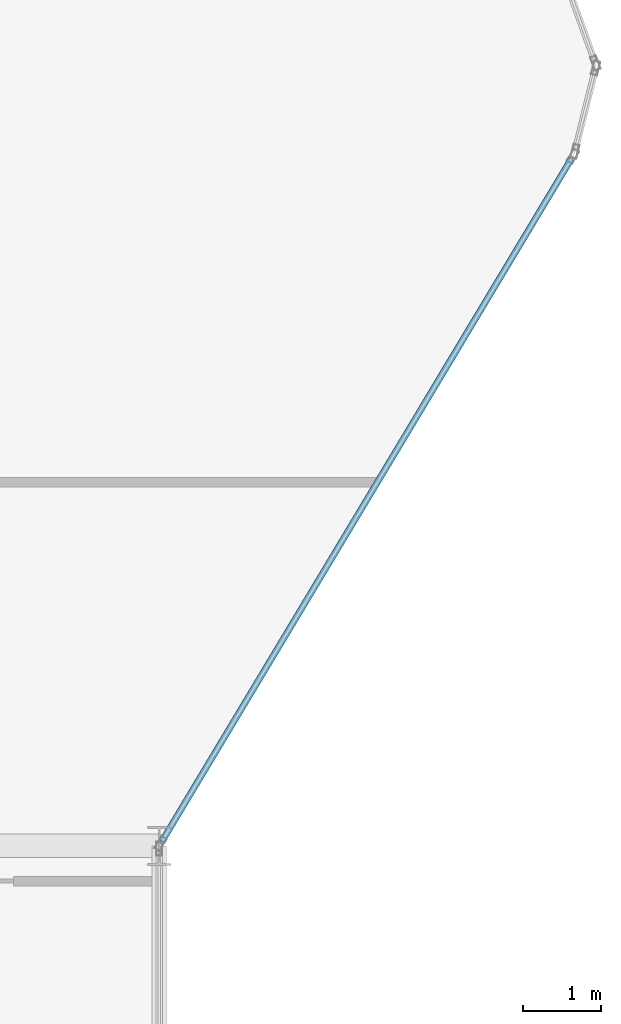
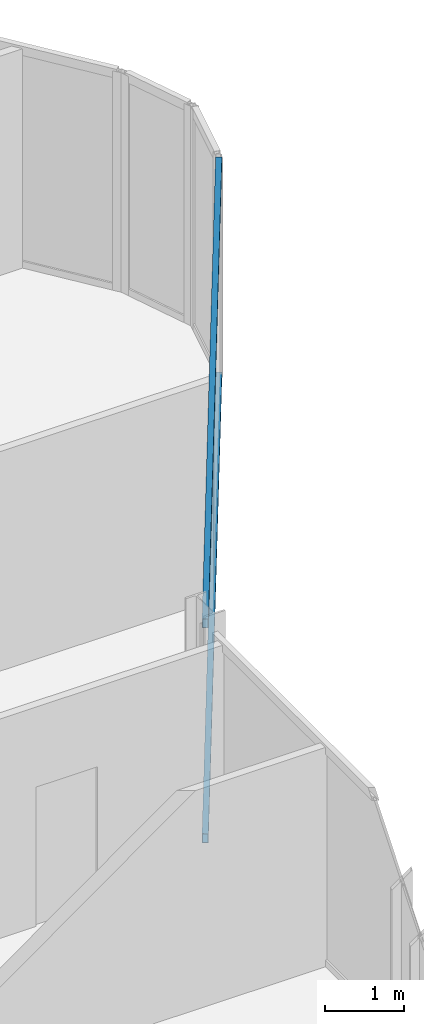
# One storey, part 14 of 31: 2 members, 1 element without a shape of its own.
"""IFC4 building model written with IfcOpenShell, lengths in metres."""

from ifc_helpers import new_model, si_unit, direction, frame, origin, origin_2d, place, context, subcontext, project, spatial, hollow_rectangle, extrude, material, layer, layer_set, material_profile, profile_set, type_object, element, aggregate, save


model = new_model("IFC4")

# Units and contexts
model_context = context("Model", 3, precision=1e-05, world=origin(), true_north=direction((0.0, 1.0)))
body_context = subcontext(model_context, "Body", "Model", "MODEL_VIEW")
ifc_project = project(units=[si_unit("LENGTHUNIT", "METRE"), si_unit("AREAUNIT", "SQUARE_METRE"), si_unit("VOLUMEUNIT", "CUBIC_METRE"), si_unit("PLANEANGLEUNIT", "RADIAN"), si_unit("MASSUNIT", "GRAM", prefix="KILO")], contexts=[model_context])

# Site, building, storey
site_placement = place(None, origin())
site = spatial("IfcSite", under=ifc_project, at=site_placement, CompositionType="ELEMENT")
building_placement = place(site_placement, origin())
building = spatial("IfcBuilding", under=site, at=building_placement, Name="Keshet Zoharim Tower", CompositionType="ELEMENT")
storey_placement = place(building_placement, frame((0.0, 0.0, 129.800048828125)))
storey = spatial("IfcBuildingStorey", under=building, at=storey_placement, Name="L31", CompositionType="ELEMENT", Elevation=129.800048828125)

# Curtain wall, members
ifc_material = material(Name="Aluminium 6063-T6", Category="aluminium")
ifc_layer = layer(ifc_material, 0.159912109375)
ifc_layer_set = layer_set([ifc_layer], Name="Aluminium 6063-T6")
curtain_wall_type = type_object("IfcCurtainWallType", Name="CW-SYS-03", PredefinedType="NOTDEFINED", material=ifc_layer_set)
curtain_wall_placement = place(storey_placement, origin())
curtain_wall = element("IfcCurtainWall", 1, at=curtain_wall_placement, inside=storey, type_object=curtain_wall_type, Name="L31 Unitised Curtain Wall 18", PredefinedType="NOTDEFINED")
ifc_material_profile = material_profile(ifc_material, hollow_rectangle(XDim=0.080078125, YDim=0.139892578125, WallThickness=0.00390625, at=origin_2d()), Name="TRN-80x140")
ifc_profile_set = profile_set([ifc_material_profile], Name="Aluminium 6063-T6")
member_type = type_object("IfcMemberType", Name="CWT-T14", PredefinedType="USERDEFINED", material=ifc_profile_set)
member_1_placement = place(storey_placement, frame((62.27197265625, 36.68701171875, 0.034912109375), z_axis=(-0.514467532827, -0.857509858641, 0.0), x_axis=(0.857509858641, -0.514467532827, 0.0)))
member_1 = element("IfcMember", 2, at=member_1_placement, type_object=member_type, Name="CW-03 transom 1.1", ObjectType="TRANSOM", PredefinedType="USERDEFINED", context=body_context, shape_type="SweptSolid", body=[
    extrude(hollow_rectangle(XDim=0.080078125, YDim=0.139892578125, WallThickness=0.00390625, at=origin_2d()), origin(), (0.0, 0.0, 1.0), 10.17724609375),
])
member_2_placement = place(storey_placement, frame((62.27197265625, 36.68701171875, 3.349853515625), z_axis=(-0.514467532827, -0.857509858641, 0.0), x_axis=(0.857509858641, -0.514467532827, 0.0)))
member_2 = element("IfcMember", 3, at=member_2_placement, type_object=member_type, Name="CW-03 transom 1.2", ObjectType="TRANSOM", PredefinedType="USERDEFINED", context=body_context, shape_type="SweptSolid", body=[
    extrude(hollow_rectangle(XDim=0.080078125, YDim=0.139892578125, WallThickness=0.00390625, at=origin_2d()), origin(), (0.0, 0.0, 1.0), 10.17724609375),
])
aggregate(curtain_wall, [member_1, member_2])

save(model, "model.ifc")
